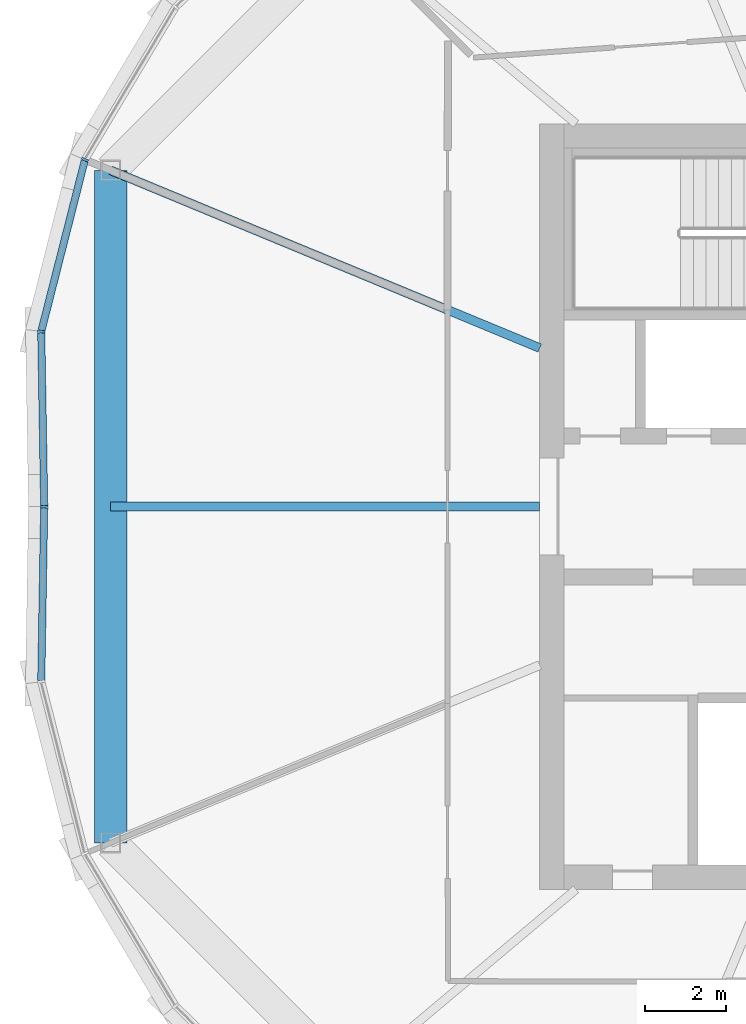
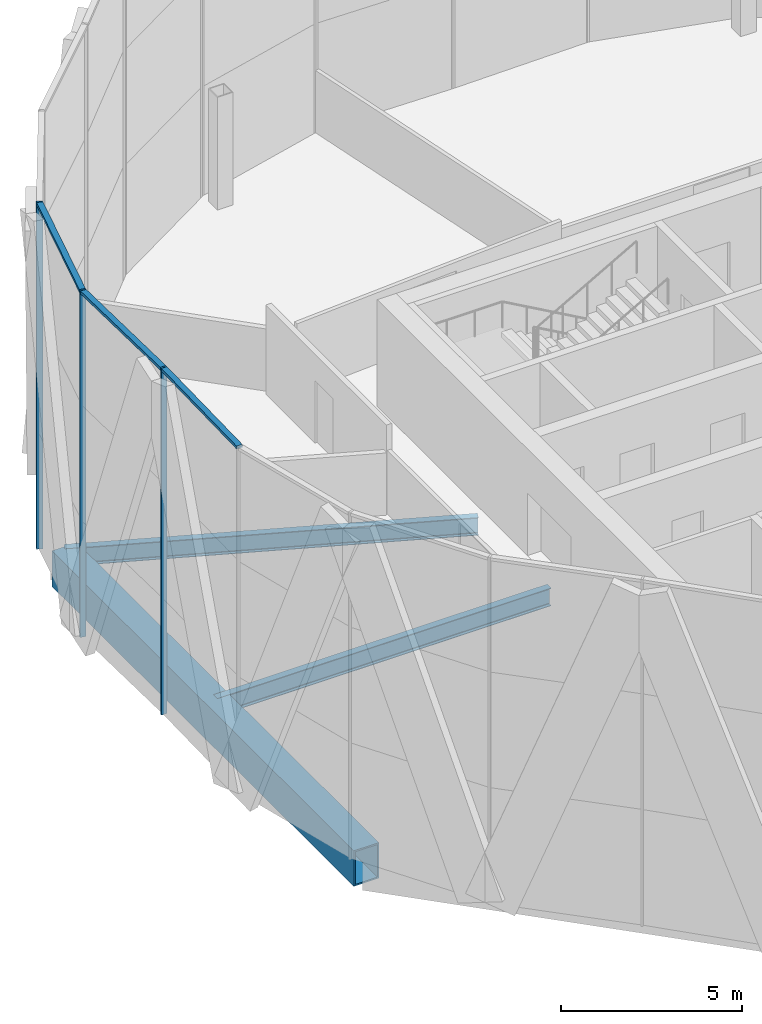
# One storey, part 4 of 23: 6 members, 3 beams, 2 elements without a shape of their own.
"""IFC4 building model written with IfcOpenShell, lengths in metres."""

from ifc_helpers import new_model, si_unit, direction, frame, origin, origin_2d, place, context, subcontext, project, spatial, rectangle, hollow_rectangle, i_section, extrude, material, material_profile, profile_set, type_object, element, aggregate, save


model = new_model("IFC4")

# Units and contexts
model_context = context("Model", 3, precision=1e-05, world=origin(), true_north=direction((0.0, 1.0)))
body_context = subcontext(model_context, "Body", "Model", "MODEL_VIEW")
ifc_project = project(units=[si_unit("LENGTHUNIT", "METRE"), si_unit("AREAUNIT", "SQUARE_METRE"), si_unit("VOLUMEUNIT", "CUBIC_METRE"), si_unit("PLANEANGLEUNIT", "RADIAN"), si_unit("MASSUNIT", "GRAM", prefix="KILO")], contexts=[model_context])

# Site, building, storey
site_placement = place(None, origin())
site = spatial("IfcSite", under=ifc_project, at=site_placement, CompositionType="ELEMENT")
building_placement = place(site_placement, origin())
building = spatial("IfcBuilding", under=site, at=building_placement, Name="Ogive Gate Towers", CompositionType="ELEMENT")
storey_placement = place(building_placement, frame((0.0, 0.0, 177.300048828125)))
storey = spatial("IfcBuildingStorey", under=building, at=storey_placement, Name="L42", CompositionType="ELEMENT", Elevation=177.300048828125)

# Beams
ifc_material_1 = material(Name="Steel SM460", Category="steel")
ifc_material_profile_1 = material_profile(ifc_material_1, hollow_rectangle(XDim=0.800048828125, YDim=1.199951171875, WallThickness=0.050048828125, at=origin_2d()), Name="BX 1200x800x50")
ifc_profile_set_1 = profile_set([ifc_material_profile_1], Name="Steel SM460")
beam_type_1 = type_object("IfcBeamType", Name="Edge girder BX 1200x800x50", PredefinedType="BEAM", material=ifc_profile_set_1)
beam_1_placement = place(storey_placement, frame((-56.14990234375, 8.346435546875, -0.900146484375), z_axis=(0.0, -1.0, 0.0), x_axis=(1.0, 0.0, 0.0)))
element("IfcBeam", 1, at=beam_1_placement, inside=storey, type_object=beam_type_1, Name="T1/L42/SBM024", PredefinedType="BEAM", context=body_context, shape_type="SweptSolid", body=[
    extrude(hollow_rectangle(XDim=0.800048828125, YDim=1.199951171875, WallThickness=0.050048828125, at=origin_2d()), origin(), (0.0, 0.0, 1.0), 16.69287109375),
])
ifc_material_2 = material(Name="Steel SM355", Category="steel")
ifc_material_profile_2 = material_profile(ifc_material_2, i_section(OverallWidth=0.219970703125, OverallDepth=0.60009765625, WebThickness=0.011962890625, FlangeThickness=0.01904296875, FilletRadius=0.02392578125, at=origin_2d()), Name="IPE 600")
ifc_profile_set_2 = profile_set([ifc_material_profile_2], Name="Steel SM355")
beam_type_2 = type_object("IfcBeamType", Name="Radial floor beam IPE 600", PredefinedType="BEAM", material=ifc_profile_set_2)
beam_2_placement = place(storey_placement, frame((-45.5, 3.93505859375, -0.60009765625), z_axis=(-0.923878214756, 0.382686613691, 0.0), x_axis=(-0.382686613691, -0.923878214756, 0.0)))
element("IfcBeam", 2, at=beam_2_placement, inside=storey, type_object=beam_type_2, Name="T1/L42/SBM015", PredefinedType="BEAM", context=body_context, shape_type="SweptSolid", body=[
    extrude(i_section(OverallWidth=0.219970703125, OverallDepth=0.60009765625, WebThickness=0.011962890625, FlangeThickness=0.01904296875, FilletRadius=0.02392578125, at=origin_2d()), origin(), (0.0, 0.0, 1.0), 11.52734375),
])
beam_3_placement = place(storey_placement, frame((-45.5, 0.0, -0.60009765625), z_axis=(-1.0, 0.0, 0.0), x_axis=(0.0, -1.0, 0.0)))
element("IfcBeam", 3, at=beam_3_placement, inside=storey, type_object=beam_type_2, Name="T1/L42/SBM016", PredefinedType="BEAM", context=body_context, shape_type="SweptSolid", body=[
    extrude(i_section(OverallWidth=0.219970703125, OverallDepth=0.60009765625, WebThickness=0.011962890625, FlangeThickness=0.01904296875, FilletRadius=0.02392578125, at=origin_2d()), origin(), (0.0, 0.0, 1.0), 10.64990234375),
])

# Curtain wall, members
ifc_material_3 = material(Name="Pale metal aluminium", Category="aluminium")
curtain_wall_type = type_object("IfcCurtainWallType", Name="Tower unitised wall, high zone", PredefinedType="NOTDEFINED", material=ifc_material_3)
curtain_wall_1_placement = place(storey_placement, origin())
curtain_wall_1 = element("IfcCurtainWall", 4, at=curtain_wall_1_placement, inside=storey, type_object=curtain_wall_type, Name="CW2 T1 ECW04", PredefinedType="NOTDEFINED")
ifc_material_profile_3 = material_profile(ifc_material_3, rectangle(XDim=0.179931640625, YDim=0.06005859375, at=origin_2d()), Name="60 x 180 aluminium box")
ifc_profile_set_3 = profile_set([ifc_material_profile_3], Name="Pale metal aluminium")
member_type_1 = type_object("IfcMemberType", Name="Tower unitised wall, high zone mullion 60 x 180", PredefinedType="MULLION", material=ifc_profile_set_3)
member_1_placement = place(storey_placement, frame((-56.788330078125, 8.61083984375, -0.300048828125), z_axis=(0.0, 0.0, 1.0), x_axis=(-0.923879532511, 0.382683432365, 0.0)))
member_1 = element("IfcMember", 5, at=member_1_placement, type_object=member_type_1, Name="CW2 mullion", PredefinedType="MULLION", context=body_context, shape_type="SweptSolid", body=[
    extrude(rectangle(XDim=0.179931640625, YDim=0.06005859375, at=origin_2d()), origin(), (0.0, 0.0, 1.0), 11.699951171875),
])
member_2_placement = place(storey_placement, frame((-57.87353515625, 4.343505859375, -0.300048828125), z_axis=(0.0, 0.0, 1.0), x_axis=(-0.993272085779, 0.115803987891, 0.0)))
member_2 = element("IfcMember", 6, at=member_2_placement, type_object=member_type_1, Name="CW2 mullion", PredefinedType="MULLION", context=body_context, shape_type="SweptSolid", body=[
    extrude(rectangle(XDim=0.179931640625, YDim=0.06005859375, at=origin_2d()), origin(), (0.0, 0.0, 1.0), 11.699951171875),
])
member_3_placement = place(storey_placement, frame((-57.800048828125, 0.000244140625, -0.300048828125), z_axis=(0.0, 0.0, 1.0), x_axis=(-0.99985699147, -0.016911434246, 0.0)))
member_3 = element("IfcMember", 7, at=member_3_placement, type_object=member_type_1, Name="CW2 mullion", PredefinedType="MULLION", context=body_context, shape_type="SweptSolid", body=[
    extrude(rectangle(XDim=0.179931640625, YDim=0.06005859375, at=origin_2d()), origin(), (0.0, 0.0, 1.0), 11.699951171875),
])
ifc_material_profile_4 = material_profile(ifc_material_3, rectangle(XDim=0.179931640625, YDim=0.10009765625, at=origin_2d()), Name="100 x 180 aluminium box")
ifc_profile_set_4 = profile_set([ifc_material_profile_4], Name="Pale metal aluminium")
member_type_2 = type_object("IfcMemberType", Name="Tower unitised wall, high zone transom 100 x 180", PredefinedType="USERDEFINED", material=ifc_profile_set_4)
member_4_placement = place(storey_placement, frame((-56.795166015625, 8.5830078125, 11.349853515625), z_axis=(-0.246498942099, -0.969143060412, 0.0), x_axis=(0.969143060412, -0.246498942099, 0.0)))
member_4 = element("IfcMember", 8, at=member_4_placement, type_object=member_type_2, Name="CW2 transom", ObjectType="TRANSOM", PredefinedType="USERDEFINED", context=body_context, shape_type="SweptSolid", body=[
    extrude(rectangle(XDim=0.179931640625, YDim=0.10009765625, at=origin_2d()), origin(), (0.0, 0.0, 1.0), 4.345947265625),
])
member_5_placement = place(storey_placement, frame((-57.873046875, 4.314697265625, 11.349853515625), z_axis=(0.016921618058, -0.999856819171, 0.0), x_axis=(0.999856819171, 0.016921618058, 0.0)))
member_5 = element("IfcMember", 9, at=member_5_placement, type_object=member_type_2, Name="CW2 transom", ObjectType="TRANSOM", PredefinedType="USERDEFINED", context=body_context, shape_type="SweptSolid", body=[
    extrude(rectangle(XDim=0.179931640625, YDim=0.10009765625, at=origin_2d()), origin(), (0.0, 0.0, 1.0), 4.28515625),
])
aggregate(curtain_wall_1, [member_1, member_2, member_4, member_3, member_5])

# Curtain wall, member
curtain_wall_2_placement = place(storey_placement, origin())
curtain_wall_2 = element("IfcCurtainWall", 10, at=curtain_wall_2_placement, inside=storey, type_object=curtain_wall_type, Name="CW2 T1 ECW05", PredefinedType="NOTDEFINED")
member_6_placement = place(storey_placement, frame((-57.800537109375, -0.0302734375, 11.349853515625), z_axis=(-0.016921618058, -0.999856819171, 0.0), x_axis=(0.999856819171, -0.016921618058, 0.0)))
member_6 = element("IfcMember", 11, at=member_6_placement, type_object=member_type_2, Name="CW2 transom", ObjectType="TRANSOM", PredefinedType="USERDEFINED", context=body_context, shape_type="SweptSolid", body=[
    extrude(rectangle(XDim=0.179931640625, YDim=0.10009765625, at=origin_2d()), origin(), (0.0, 0.0, 1.0), 4.28515625),
])
aggregate(curtain_wall_2, [member_6])

save(model, "model.ifc")
